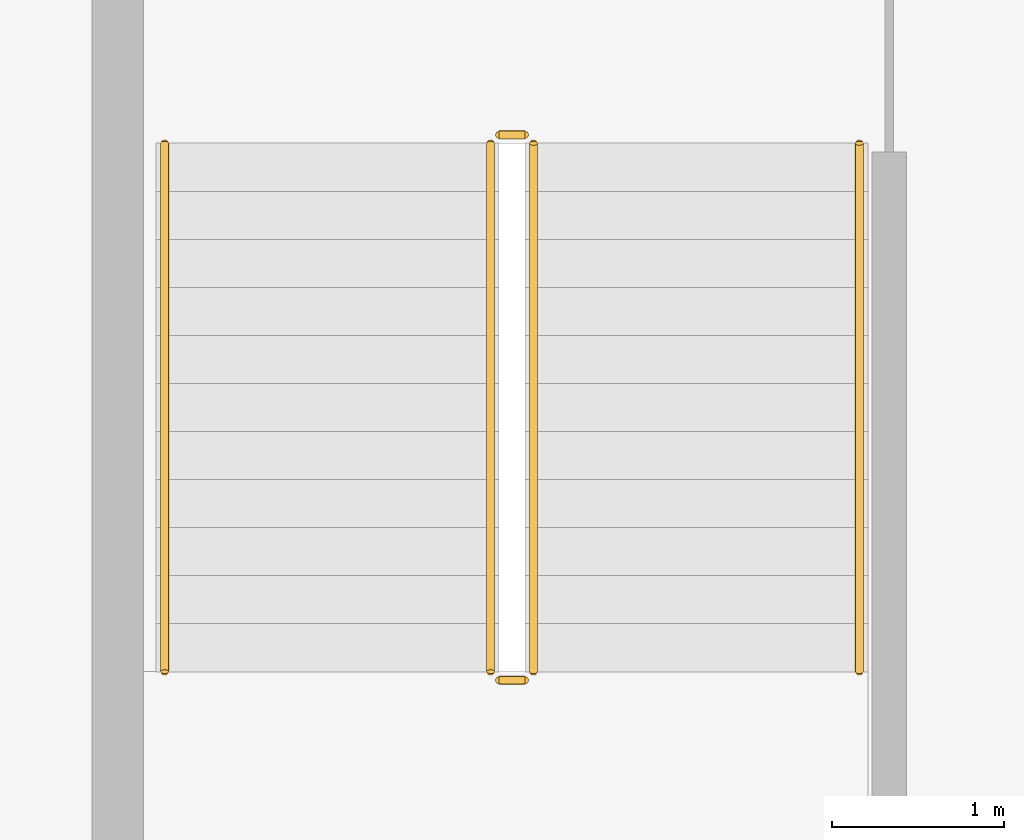
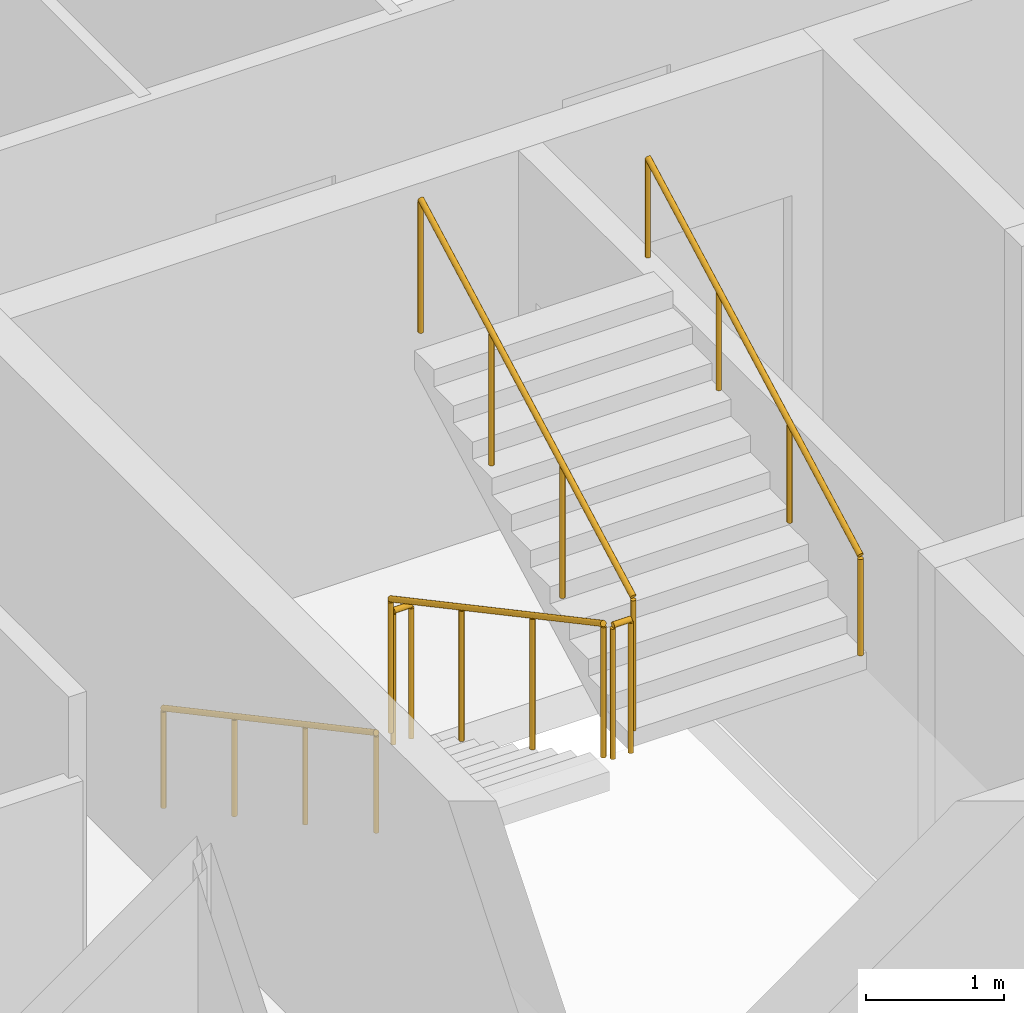
# One storey, part 13 of 15: 6 railings.
"""IFC4 building model written with IfcOpenShell, lengths in metres."""

from ifc_helpers import new_model, si_unit, direction, frame, origin, origin_2d, place, context, subcontext, project, spatial, circle, extrude, material, type_object, element, save


model = new_model("IFC4")

# Units and contexts
model_context = context("Model", 3, precision=1e-05, world=origin(), true_north=direction((0.0, 1.0)))
body_context = subcontext(model_context, "Body", "Model", "MODEL_VIEW")
ifc_project = project(units=[si_unit("LENGTHUNIT", "METRE"), si_unit("AREAUNIT", "SQUARE_METRE"), si_unit("VOLUMEUNIT", "CUBIC_METRE"), si_unit("PLANEANGLEUNIT", "RADIAN"), si_unit("MASSUNIT", "GRAM", prefix="KILO")], contexts=[model_context])

# Site, building, storey
site_placement = place(None, origin())
site = spatial("IfcSite", under=ifc_project, at=site_placement, CompositionType="ELEMENT")
building_placement = place(site_placement, origin())
building = spatial("IfcBuilding", under=site, at=building_placement, Name="Caravel Reach Hotel and Residences", CompositionType="ELEMENT")
storey_placement = place(building_placement, frame((0.0, 0.0, 122.39990234375)))
storey = spatial("IfcBuildingStorey", under=building, at=storey_placement, Name="L30", CompositionType="ELEMENT", Elevation=122.39990234375)

# Railings
ifc_material_1 = material(Name="Steel balustrade with glass infill", Category="steel")
railing_type_1 = type_object("IfcRailingType", Name="Guard 1200", PredefinedType="GUARDRAIL", material=ifc_material_1)
railing_1_placement = place(storey_placement, frame((20.175048828125, 29.35009765625, 0.150146484375)))
element("IfcRailing", 1, at=railing_1_placement, inside=storey, type_object=railing_type_1, Name="L30 ST-A stair guard 1", PredefinedType="GUARDRAIL", context=body_context, shape_type="SweptSolid", body=[
    extrude(circle(Radius=0.02392578125, at=origin_2d()), frame((0.0, 0.0, 1.17578125), z_axis=(0.0, -0.881496589024, 0.472190389079), x_axis=(1.0, 0.0, 0.0)), (0.0, 0.0, 1.0), 3.494140625),
    extrude(circle(Radius=0.02099609375, at=origin_2d()), origin(), (0.0, 0.0, 1.0), 1.15185546875),
    extrude(circle(Radius=0.02099609375, at=origin_2d()), frame((0.0, -1.026611328125, 0.550048828125)), (0.0, 0.0, 1.0), 1.15185546875),
    extrude(circle(Radius=0.02099609375, at=origin_2d()), frame((0.0, -2.053466796875, 1.099853515625)), (0.0, 0.0, 1.0), 1.15185546875),
    extrude(circle(Radius=0.02099609375, at=origin_2d()), frame((0.0, -3.080078125, 1.64990234375)), (0.0, 0.0, 1.0), 1.15185546875),
])
railing_2_placement = place(storey_placement, frame((20.22509765625, 26.219970703125, 1.800048828125)))
element("IfcRailing", 2, at=railing_2_placement, inside=storey, type_object=railing_type_1, Name="L30 ST-A stair guard 2", PredefinedType="GUARDRAIL", context=body_context, shape_type="SweptSolid", body=[
    extrude(circle(Radius=0.02392578125, at=origin_2d()), frame((0.0, 0.0, 1.17578125), z_axis=(1.0, 0.0, 0.0), x_axis=(0.0, 1.0, 0.0)), (0.0, 0.0, 1.0), 0.14990234375),
    extrude(circle(Radius=0.02099609375, at=origin_2d()), origin(), (0.0, 0.0, 1.0), 1.15185546875),
    extrude(circle(Radius=0.02099609375, at=origin_2d()), frame((0.14990234375, 0.0, 0.0)), (0.0, 0.0, 1.0), 1.15185546875),
])
railing_3_placement = place(storey_placement, frame((20.425048828125, 26.27001953125, 1.9501953125)))
element("IfcRailing", 3, at=railing_3_placement, inside=storey, type_object=railing_type_1, Name="L30 ST-A stair guard 3", PredefinedType="GUARDRAIL", context=body_context, shape_type="SweptSolid", body=[
    extrude(circle(Radius=0.02392578125, at=origin_2d()), frame((0.0, 0.0, 1.17578125), z_axis=(0.0, 0.881496589024, 0.472190389079), x_axis=(-1.0, 0.0, 0.0)), (0.0, 0.0, 1.0), 3.494140625),
    extrude(circle(Radius=0.02099609375, at=origin_2d()), origin(), (0.0, 0.0, 1.0), 1.15185546875),
    extrude(circle(Radius=0.02099609375, at=origin_2d()), frame((0.0, 1.026611328125, 0.550048828125)), (0.0, 0.0, 1.0), 1.15185546875),
    extrude(circle(Radius=0.02099609375, at=origin_2d()), frame((0.0, 2.053466796875, 1.099853515625)), (0.0, 0.0, 1.0), 1.15185546875),
    extrude(circle(Radius=0.02099609375, at=origin_2d()), frame((0.0, 3.080078125, 1.64990234375)), (0.0, 0.0, 1.0), 1.15185546875),
])
railing_4_placement = place(storey_placement, frame((20.22509765625, 29.39990234375, 0.0)))
element("IfcRailing", 4, at=railing_4_placement, inside=storey, type_object=railing_type_1, Name="L30 ST-A stair guard 4", PredefinedType="GUARDRAIL", context=body_context, shape_type="SweptSolid", body=[
    extrude(circle(Radius=0.02392578125, at=origin_2d()), frame((0.0, 0.0, 1.17578125), z_axis=(1.0, 0.0, 0.0), x_axis=(0.0, 1.0, 0.0)), (0.0, 0.0, 1.0), 0.14990234375),
    extrude(circle(Radius=0.02099609375, at=origin_2d()), origin(), (0.0, 0.0, 1.0), 1.15185546875),
    extrude(circle(Radius=0.02099609375, at=origin_2d()), frame((0.14990234375, 0.0, 0.0)), (0.0, 0.0, 1.0), 1.15185546875),
])
ifc_material_2 = material(Name="Stainless steel handrail", Category="steel")
railing_type_2 = type_object("IfcRailingType", Name="Handrail 900", PredefinedType="HANDRAIL", material=ifc_material_2)
railing_5_placement = place(storey_placement, frame((18.27490234375, 29.35009765625, 0.150146484375)))
element("IfcRailing", 5, at=railing_5_placement, inside=storey, type_object=railing_type_2, Name="L30 ST-A stair handrail 1", PredefinedType="HANDRAIL", context=body_context, shape_type="SweptSolid", body=[
    extrude(circle(Radius=0.02392578125, at=origin_2d()), frame((0.0, 0.0, 0.8759765625), z_axis=(0.0, -0.881496589024, 0.472190389079), x_axis=(1.0, 0.0, 0.0)), (0.0, 0.0, 1.0), 3.494140625),
    extrude(circle(Radius=0.02099609375, at=origin_2d()), origin(), (0.0, 0.0, 1.0), 0.851806640625),
    extrude(circle(Radius=0.02099609375, at=origin_2d()), frame((0.0, -1.026611328125, 0.550048828125)), (0.0, 0.0, 1.0), 0.851806640625),
    extrude(circle(Radius=0.02099609375, at=origin_2d()), frame((0.0, -2.053466796875, 1.099853515625)), (0.0, 0.0, 1.0), 0.851806640625),
    extrude(circle(Radius=0.02099609375, at=origin_2d()), frame((0.0, -3.080078125, 1.64990234375)), (0.0, 0.0, 1.0), 0.851806640625),
])
railing_6_placement = place(storey_placement, frame((22.324951171875, 26.27001953125, 1.9501953125)))
element("IfcRailing", 6, at=railing_6_placement, inside=storey, type_object=railing_type_2, Name="L30 ST-A stair handrail 2", PredefinedType="HANDRAIL", context=body_context, shape_type="SweptSolid", body=[
    extrude(circle(Radius=0.02392578125, at=origin_2d()), frame((0.0, 0.0, 0.8759765625), z_axis=(0.0, 0.881496589024, 0.472190389079), x_axis=(-1.0, 0.0, 0.0)), (0.0, 0.0, 1.0), 3.494140625),
    extrude(circle(Radius=0.02099609375, at=origin_2d()), origin(), (0.0, 0.0, 1.0), 0.851806640625),
    extrude(circle(Radius=0.02099609375, at=origin_2d()), frame((0.0, 1.026611328125, 0.550048828125)), (0.0, 0.0, 1.0), 0.851806640625),
    extrude(circle(Radius=0.02099609375, at=origin_2d()), frame((0.0, 2.053466796875, 1.099853515625)), (0.0, 0.0, 1.0), 0.851806640625),
    extrude(circle(Radius=0.02099609375, at=origin_2d()), frame((0.0, 3.080078125, 1.64990234375)), (0.0, 0.0, 1.0), 0.851806640625),
])

save(model, "model.ifc")
